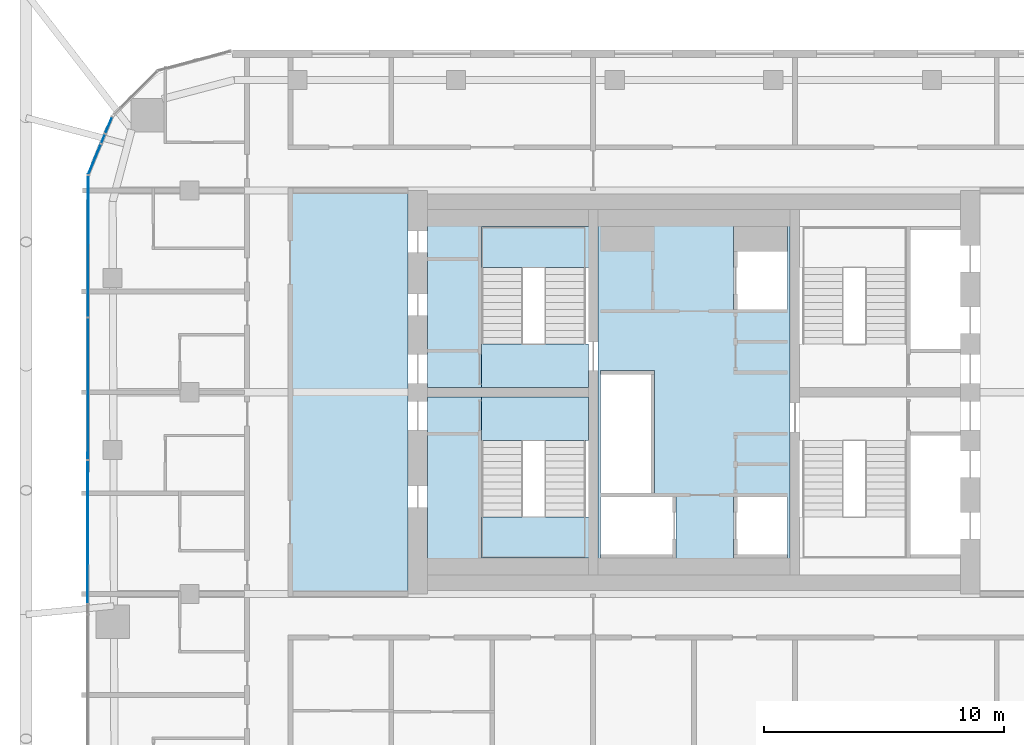
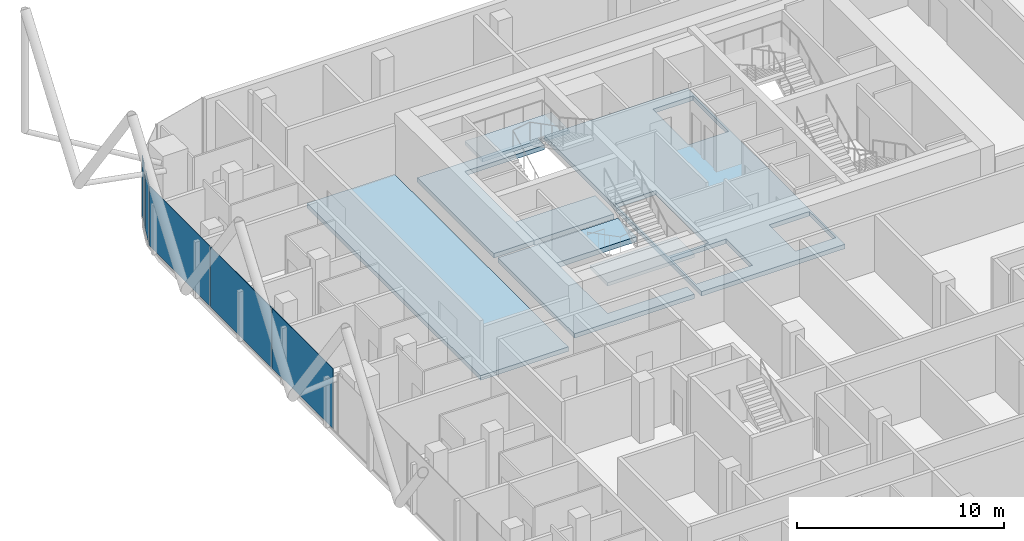
# One storey, part 19 of 31: 8 slabs, 6 plates, 6 elements without a shape of their own.
"""IFC4 building model written with IfcOpenShell, lengths in metres."""

from ifc_helpers import new_model, si_unit, direction, frame, origin, origin_2d, place, context, subcontext, project, spatial, polyline, rectangle, outline, extrude, material, layer, layer_set, type_object, element, aggregate, save


model = new_model("IFC4")

# Units and contexts
model_context = context("Model", 3, precision=1e-05, world=origin(), true_north=direction((0.0, 1.0)))
body_context = subcontext(model_context, "Body", "Model", "MODEL_VIEW")
ifc_project = project(units=[si_unit("LENGTHUNIT", "METRE"), si_unit("AREAUNIT", "SQUARE_METRE"), si_unit("VOLUMEUNIT", "CUBIC_METRE"), si_unit("PLANEANGLEUNIT", "RADIAN"), si_unit("MASSUNIT", "GRAM", prefix="KILO")], contexts=[model_context])

# Site, building, storey
site_placement = place(None, origin())
site = spatial("IfcSite", under=ifc_project, at=site_placement, CompositionType="ELEMENT")
building_placement = place(site_placement, origin())
building = spatial("IfcBuilding", under=site, at=building_placement, Name="Marenta Gate Hotel Tower", CompositionType="ELEMENT")
storey_placement = place(building_placement, frame((0.0, 0.0, 191.300048828125)))
storey = spatial("IfcBuildingStorey", under=building, at=storey_placement, Name="L43", CompositionType="ELEMENT", Elevation=191.300048828125)

# Slabs
ifc_material_1 = material(Name="Concrete C40", Category="concrete")
ifc_layer_1 = layer(ifc_material_1, 0.260009765625)
ifc_layer_set_1 = layer_set([ifc_layer_1], Name="Concrete C40")
slab_type_1 = type_object("IfcSlabType", Name="Core floor slab 260", PredefinedType="FLOOR", material=ifc_layer_set_1)
slab_1_placement = place(storey_placement, frame((0.0, 0.0, -0.260009765625)))
element("IfcSlab", 1, at=slab_1_placement, inside=storey, type_object=slab_type_1, Name="L43-CF-4", PredefinedType="FLOOR", context=body_context, shape_type="SweptSolid", body=[
    extrude(outline(polyline([(4.0, 15.300048828125), (4.0, 10.39990234375), (4.0, 6.39990234375), (4.0, 1.5), (4.0, 0.800048828125), (-4.0, 0.800048828125), (-4.0, 1.5), (-4.0, 6.39990234375), (-4.0, 10.39990234375), (-4.0, 15.300048828125), (-4.0, 16.0), (4.0, 16.0), (4.0, 15.300048828125)]), holes=[polyline([(1.64990234375, 14.25), (1.64990234375, 11.85009765625), (1.800048828125, 11.85009765625), (3.89990234375, 11.85009765625), (3.89990234375, 14.25), (3.89990234375, 15.300048828125), (1.64990234375, 15.300048828125), (1.64990234375, 14.25)]), polyline([(3.89990234375, 1.64990234375), (3.89990234375, 4.050048828125), (1.800048828125, 4.050048828125), (1.64990234375, 4.050048828125), (1.64990234375, 1.64990234375), (1.64990234375, 1.5), (3.89990234375, 1.5), (3.89990234375, 1.64990234375)]), polyline([(-3.89990234375, 1.64990234375), (-3.89990234375, 1.5), (-0.89990234375, 1.5), (-0.75, 1.5), (-0.75, 4.050048828125), (-0.89990234375, 4.050048828125), (-3.89990234375, 4.050048828125), (-3.89990234375, 1.64990234375)]), polyline([(-1.800048828125, 4.199951171875), (-1.64990234375, 4.199951171875), (-1.64990234375, 9.14990234375), (-1.64990234375, 9.300048828125), (-3.89990234375, 9.300048828125), (-3.89990234375, 9.14990234375), (-3.89990234375, 6.75), (-3.89990234375, 6.60009765625), (-3.89990234375, 4.199951171875), (-1.800048828125, 4.199951171875)])]), origin(), (0.0, 0.0, 1.0), 0.260009765625),
])
slab_2_placement = place(storey_placement, frame((0.0, 0.0, -0.260009765625)))
element("IfcSlab", 2, at=slab_2_placement, inside=storey, type_object=slab_type_1, Name="L43-CF-5", PredefinedType="FLOOR", context=body_context, shape_type="SweptSolid", body=[
    extrude(outline(polyline([(-8.85009765625, 8.199951171875), (-8.85009765625, 8.10009765625), (-8.85009765625, 6.39990234375), (-8.85009765625, 1.5), (-4.39990234375, 1.5), (-4.39990234375, 0.800048828125), (-11.10009765625, 0.800048828125), (-11.10009765625, 8.199951171875), (-8.85009765625, 8.199951171875)])), origin(), (0.0, 0.0, 1.0), 0.260009765625),
])
slab_3_placement = place(storey_placement, frame((0.0, 0.0, -0.260009765625)))
element("IfcSlab", 3, at=slab_3_placement, inside=storey, type_object=slab_type_1, Name="L43-CF-6", PredefinedType="FLOOR", context=body_context, shape_type="SweptSolid", body=[
    extrude(outline(polyline([(-4.39990234375, 15.300048828125), (-8.85009765625, 15.300048828125), (-8.85009765625, 10.39990234375), (-8.85009765625, 8.699951171875), (-8.85009765625, 8.60009765625), (-11.10009765625, 8.60009765625), (-11.10009765625, 16.0), (-4.39990234375, 16.0), (-4.39990234375, 15.300048828125)])), origin(), (0.0, 0.0, 1.0), 0.260009765625),
])
slab_4_placement = place(storey_placement, frame((0.0, 0.0, -0.260009765625)))
element("IfcSlab", 4, at=slab_4_placement, inside=storey, type_object=slab_type_1, Name="L43-CF-7", PredefinedType="FLOOR", context=body_context, shape_type="SweptSolid", body=[
    extrude(outline(polyline([(-11.89990234375, 16.800048828125), (-11.89990234375, 0.0), (-16.800048828125, 0.0), (-16.800048828125, 16.800048828125), (-11.89990234375, 16.800048828125)])), origin(), (0.0, 0.0, 1.0), 0.260009765625),
])

# Stair, slab
ifc_material_2 = material(Name="Concrete C40", Category="concrete")
stair_type = type_object("IfcStairType", Name="Core exit stair 1700 wide", PredefinedType="HALF_TURN_STAIR", material=ifc_material_2)
stair_1_placement = place(storey_placement, origin())
stair_1 = element("IfcStair", 5, at=stair_1_placement, inside=storey, type_object=stair_type, Name="Exit stair 1", PredefinedType="HALF_TURN_STAIR")
ifc_material_3 = material(Name="Concrete C40", Category="concrete")
ifc_layer_2 = layer(ifc_material_3, 0.199951171875)
ifc_layer_set_2 = layer_set([ifc_layer_2], Name="Concrete C40")
slab_type_2 = type_object("IfcSlabType", Name="Core stair landing 200", PredefinedType="LANDING", material=ifc_layer_set_2)
slab_5_placement = place(storey_placement, frame((0.0, 0.0, 1.599853515625)))
slab_5 = element("IfcSlab", 6, at=slab_5_placement, type_object=slab_type_2, Name="SL-200 ST1 landing 1", PredefinedType="LANDING", context=body_context, shape_type="SweptSolid", body=[
    extrude(outline(polyline([(-8.85009765625, 1.5), (-4.0, 1.5), (-4.0, 3.2099609375), (-8.85009765625, 3.2099609375), (-8.85009765625, 1.5)])), origin(), (0.0, 0.0, 1.0), 0.2001953125),
])
aggregate(stair_1, [slab_5])

stair_2_placement = place(storey_placement, origin())
stair_2 = element("IfcStair", 7, at=stair_2_placement, inside=storey, type_object=stair_type, Name="Exit stair 2", PredefinedType="HALF_TURN_STAIR")
slab_6_placement = place(storey_placement, frame((0.0, 0.0, 1.599853515625)))
slab_6 = element("IfcSlab", 8, at=slab_6_placement, type_object=slab_type_2, Name="SL-200 ST2 landing 1", PredefinedType="LANDING", context=body_context, shape_type="SweptSolid", body=[
    extrude(outline(polyline([(-8.85009765625, 13.590087890625), (-4.0, 13.590087890625), (-4.0, 15.300048828125), (-8.85009765625, 15.300048828125), (-8.85009765625, 13.590087890625)])), origin(), (0.0, 0.0, 1.0), 0.2001953125),
])
aggregate(stair_2, [slab_6])

# Curtain wall, plate
ifc_material_4 = material(Name="Tinted insulated glass in bronze anodised frame", Category="glass")
ifc_layer_3 = layer(ifc_material_4, 0.1201171875)
ifc_layer_set_3 = layer_set([ifc_layer_3], Name="Tinted insulated glass in bronze anodised frame")
curtain_wall_type = type_object("IfcCurtainWallType", Name="Tower unitised curtain wall CW1", PredefinedType="NOTDEFINED", material=ifc_layer_set_3)
curtain_wall_1_placement = place(storey_placement, origin())
curtain_wall_1 = element("IfcCurtainWall", 9, at=curtain_wall_1_placement, inside=storey, type_object=curtain_wall_type, Name="CW1 run G03", PredefinedType="NOTDEFINED")
ifc_material_5 = material(Name="Tinted insulated glass", Category="glass")
ifc_layer_4 = layer(ifc_material_5, 0.028076171875)
ifc_layer_set_4 = layer_set([ifc_layer_4], Name="Tinted insulated glass")
plate_type = type_object("IfcPlateType", Name="Glass panel CW1 28 mm tinted insulated unit", PredefinedType="CURTAIN_PANEL", material=ifc_layer_set_4)
plate_1_placement = place(storey_placement, frame((-24.3623046875, 19.5185546875, 0.059814453125), z_axis=(0.0, 0.0, 1.0), x_axis=(-0.382711777204, -0.923867791185, 0.0)))
plate_1 = element("IfcPlate", 10, at=plate_1_placement, type_object=plate_type, Name="CW1 panel 1.1", PredefinedType="CURTAIN_PANEL", context=body_context, shape_type="SweptSolid", body=[
    extrude(rectangle(XDim=0.708740234375, YDim=0.028076171875, at=origin_2d()), origin(), (0.0, 0.0, 1.0), 3.5400390625),
])
aggregate(curtain_wall_1, [plate_1])

curtain_wall_2_placement = place(storey_placement, origin())
curtain_wall_2 = element("IfcCurtainWall", 11, at=curtain_wall_2_placement, inside=storey, type_object=curtain_wall_type, Name="CW1 run G04", PredefinedType="NOTDEFINED")
plate_2_placement = place(storey_placement, frame((-24.5966796875, 18.9521484375, 0.06005859375), z_axis=(0.0, 0.0, 1.0), x_axis=(-0.382641626167, -0.923896848097, 0.0)))
plate_2 = element("IfcPlate", 12, at=plate_2_placement, type_object=plate_type, Name="CW1 panel 1.1", PredefinedType="CURTAIN_PANEL", context=body_context, shape_type="SweptSolid", body=[
    extrude(rectangle(XDim=0.397216796875, YDim=0.028076171875, at=origin_2d()), origin(), (0.0, 0.0, 1.0), 2.9404296875),
])
aggregate(curtain_wall_2, [plate_2])

curtain_wall_3_placement = place(storey_placement, origin())
curtain_wall_3 = element("IfcCurtainWall", 13, at=curtain_wall_3_placement, inside=storey, type_object=curtain_wall_type, Name="CW1 run G05", PredefinedType="NOTDEFINED")
plate_3_placement = place(storey_placement, frame((-24.9541015625, 18.08984375, 0.059814453125), z_axis=(0.0, 0.0, 1.0), x_axis=(-0.382650385627, -0.923893220226, 0.0)))
plate_3 = element("IfcPlate", 14, at=plate_3_placement, type_object=plate_type, Name="CW1 panel 1.1", PredefinedType="CURTAIN_PANEL", context=body_context, shape_type="SweptSolid", body=[
    extrude(rectangle(XDim=1.349853515625, YDim=0.028076171875, at=origin_2d()), origin(), (0.0, 0.0, 1.0), 3.5400390625),
])
aggregate(curtain_wall_3, [plate_3])

# Curtain wall, plates
curtain_wall_4_placement = place(storey_placement, origin())
curtain_wall_4 = element("IfcCurtainWall", 15, at=curtain_wall_4_placement, inside=storey, type_object=curtain_wall_type, Name="CW1 run G06", PredefinedType="NOTDEFINED")
plate_4_placement = place(storey_placement, frame((-25.217041015625, 14.478515625, 0.059814453125), z_axis=(0.0, 0.0, 1.0), x_axis=(-0.001569803969, -0.999998767857, 0.0)))
plate_4 = element("IfcPlate", 16, at=plate_4_placement, type_object=plate_type, Name="CW1 panel 1.1", PredefinedType="CURTAIN_PANEL", context=body_context, shape_type="SweptSolid", body=[
    extrude(rectangle(XDim=5.85546875, YDim=0.028076171875, at=origin_2d()), origin(), (0.0, 0.0, 1.0), 3.5400390625),
])
plate_5_placement = place(storey_placement, frame((-25.226318359375, 8.5478515625, 0.059814453125), z_axis=(0.0, 0.0, 1.0), x_axis=(-0.001569803969, -0.999998767857, 0.0)))
plate_5 = element("IfcPlate", 17, at=plate_5_placement, type_object=plate_type, Name="CW1 panel 2.1", PredefinedType="CURTAIN_PANEL", context=body_context, shape_type="SweptSolid", body=[
    extrude(rectangle(XDim=5.885498046875, YDim=0.028076171875, at=origin_2d()), origin(), (0.0, 0.0, 1.0), 3.5400390625),
])
plate_6_placement = place(storey_placement, frame((-25.235595703125, 2.58740234375, 0.059814453125), z_axis=(0.0, 0.0, 1.0), x_axis=(-0.001569803969, -0.999998767857, 0.0)))
plate_6 = element("IfcPlate", 18, at=plate_6_placement, type_object=plate_type, Name="CW1 panel 3.1", PredefinedType="CURTAIN_PANEL", context=body_context, shape_type="SweptSolid", body=[
    extrude(rectangle(XDim=5.91552734375, YDim=0.028076171875, at=origin_2d()), origin(), (0.0, 0.0, 1.0), 3.5400390625),
])
aggregate(curtain_wall_4, [plate_4, plate_5, plate_6])

# Slabs
ifc_material_6 = material(Name="Concrete C40", Category="concrete")
ifc_layer_5 = layer(ifc_material_6, 0.300048828125)
ifc_layer_set_5 = layer_set([ifc_layer_5], Name="Concrete C40")
slab_type_3 = type_object("IfcSlabType", Name="Stair floor landing slab 300", PredefinedType="FLOOR", material=ifc_layer_set_5)
slab_7_placement = place(storey_placement, frame((0.0, 0.0, -0.300048828125)))
element("IfcSlab", 19, at=slab_7_placement, inside=storey, type_object=slab_type_3, Name="L43-CL-ST1-1", PredefinedType="FLOOR", context=body_context, shape_type="SweptSolid", body=[
    extrude(outline(polyline([(-4.39990234375, 6.39990234375), (-8.85009765625, 6.39990234375), (-8.85009765625, 8.10009765625), (-8.85009765625, 8.199951171875), (-4.39990234375, 8.199951171875), (-4.39990234375, 6.39990234375)])), origin(), (0.0, 0.0, 1.0), 0.300048828125),
])
slab_8_placement = place(storey_placement, frame((0.0, 0.0, -0.300048828125)))
element("IfcSlab", 20, at=slab_8_placement, inside=storey, type_object=slab_type_3, Name="L43-CL-ST2-1", PredefinedType="FLOOR", context=body_context, shape_type="SweptSolid", body=[
    extrude(outline(polyline([(-4.39990234375, 8.60009765625), (-8.85009765625, 8.60009765625), (-8.85009765625, 8.699951171875), (-8.85009765625, 10.39990234375), (-4.39990234375, 10.39990234375), (-4.39990234375, 8.60009765625)])), origin(), (0.0, 0.0, 1.0), 0.300048828125),
])

save(model, "model.ifc")
